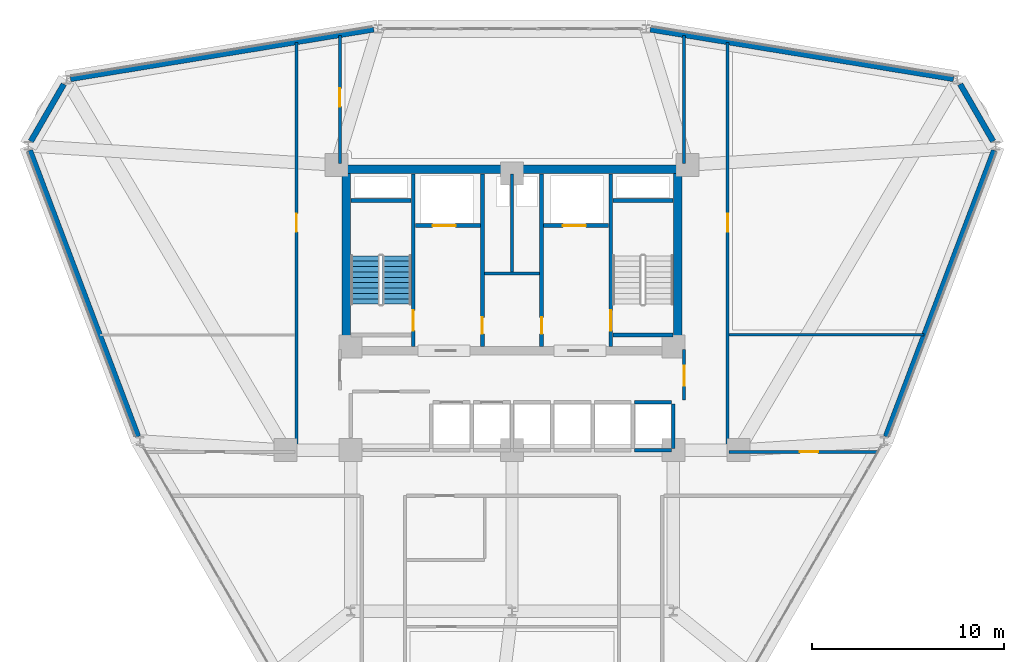
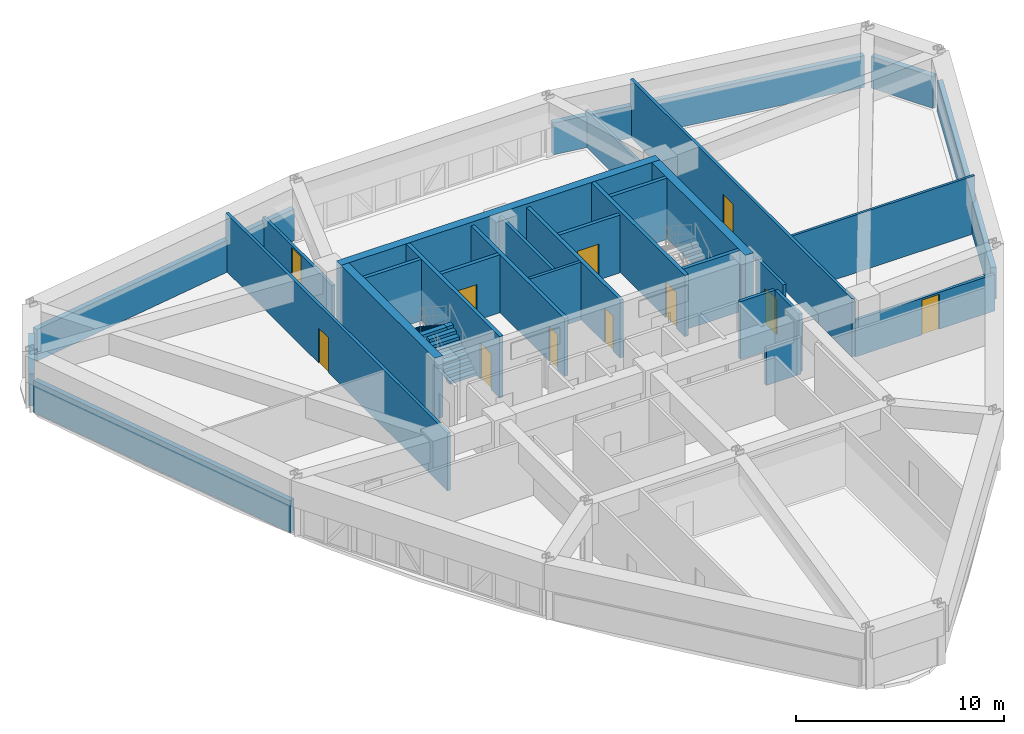
# One storey, part 11 of 15: 30 walls, 11 doors, 2 stair flights, 11 openings, 1 element without a shape of its own.
"""IFC4 building model written with IfcOpenShell, lengths in metres."""

from ifc_helpers import new_model, si_unit, derived_unit, direction, frame, frame_2d, origin, place, context, subcontext, project, spatial, polyline, rectangle, outline, extrude, material, layer, layer_set, type_object, element, fill, aggregate, save


model = new_model("IFC4")

# Units and contexts
model_context = context("Model", 3, precision=1e-05, world=origin(), true_north=direction((0.0, 1.0)))
body_context = subcontext(model_context, "Body", "Model", "MODEL_VIEW")
ifc_project = project(units=[si_unit("LENGTHUNIT", "METRE"), si_unit("AREAUNIT", "SQUARE_METRE"), si_unit("VOLUMEUNIT", "CUBIC_METRE"), si_unit("PLANEANGLEUNIT", "RADIAN"), si_unit("MASSUNIT", "GRAM", prefix="KILO"), derived_unit("THERMALTRANSMITTANCEUNIT", [(si_unit("POWERUNIT", "WATT"), 1), (si_unit("LENGTHUNIT", "METRE"), -2), (si_unit("THERMODYNAMICTEMPERATUREUNIT", "KELVIN"), -1)])], contexts=[model_context])

# Site, building, storey
site_placement = place(None, origin())
site = spatial("IfcSite", under=ifc_project, at=site_placement, CompositionType="ELEMENT")
building_placement = place(site_placement, origin())
building = spatial("IfcBuilding", under=site, at=building_placement, Name="Korsvarv Bourse and Concert Hall", CompositionType="ELEMENT")
storey_placement = place(building_placement, frame((0.0, 0.0, 109.800048828125)))
storey = spatial("IfcBuildingStorey", under=building, at=storey_placement, Name="L27", CompositionType="ELEMENT", Elevation=109.800048828125)

# Wall, opening, door
ifc_material_1 = material(Name="Concrete C50/60", Category="concrete")
ifc_layer_1 = layer(ifc_material_1, 0.3798828125)
ifc_layer_set_1 = layer_set([ifc_layer_1], Name="Concrete C50/60")
wall_type_1 = type_object("IfcWallType", Name="WL-CORE-380", PredefinedType="SHEAR", material=ifc_layer_set_1)
wall_1_placement = place(storey_placement, frame((30.860107421875, 37.81005859375, 0.0), z_axis=(0.0, 0.0, 1.0), x_axis=(0.0, 1.0, 0.0)))
wall_1 = element("IfcWall", 1, at=wall_1_placement, inside=storey, type_object=wall_type_1, Name="L27 stair shaft structural wall W-L27-ST1-E", PredefinedType="SHEAR", context=body_context, shape_type="SweptSolid", body=[
    extrude(rectangle(XDim=8.97998046875, YDim=0.199951171875, at=frame_2d((4.489990234375, 0.0))), origin(), (0.0, 0.0, 1.0), 3.599853515625),
])
opening_1_placement = place(wall_1_placement, frame((0.820068359375, 0.0, 0.0)))
opening_1 = element("IfcOpeningElement", 2, at=opening_1_placement, cuts=wall_1, Name="Opening D-01", PredefinedType="OPENING", context=body_context, shape_type="SweptSolid", body=[
    extrude(rectangle(XDim=1.050048828125, YDim=2.10009765625, at=frame_2d((0.52490234375, 1.050048828125))), frame((0.0, 0.10986328125, 0.0), z_axis=(0.0, -1.0, 0.0), x_axis=(1.0, 0.0, 0.0)), (0.0, 0.0, 1.0), 0.219970703125),
])
ifc_material_2 = material(Name="Steel S355 fire door", Category="steel")
door_type_1 = type_object("IfcDoorType", Name="DR-FD60", OperationType="NOTDEFINED", PredefinedType="DOOR", material=ifc_material_2)
door_1_placement = place(opening_1_placement, origin())
door_1 = element("IfcDoor", 3, at=door_1_placement, inside=storey, type_object=door_type_1, Name="L27 interior door DR-L27-ST1", OperationType="SINGLE_SWING_LEFT", OverallHeight=2.10009765625, OverallWidth=1.050048828125, PredefinedType="DOOR", context=body_context, shape_type="SweptSolid", body=[
    extrude(rectangle(XDim=1.050048828125, YDim=2.10009765625, at=frame_2d((0.52490234375, 1.050048828125))), frame((0.0, 0.02490234375, 0.0), z_axis=(0.0, -1.0, 0.0), x_axis=(1.0, 0.0, 0.0)), (0.0, 0.0, 1.0), 0.050048828125),
])
fill(opening_1, door_1)

# Wall
wall_2_placement = place(storey_placement, frame((27.610107421875, 45.39990234375, 0.0), z_axis=(0.0, 0.0, 1.0), x_axis=(1.0, 0.0, 0.0)))
element("IfcWall", 4, at=wall_2_placement, inside=storey, type_object=wall_type_1, Name="L27 stair shaft structural wall W-L27-ST1-N", PredefinedType="SHEAR", context=body_context, shape_type="SweptSolid", body=[
    extrude(rectangle(XDim=3.139892578125, YDim=0.199951171875, at=frame_2d((1.56982421875, 0.0))), origin(), (0.0, 0.0, 1.0), 3.599853515625),
])

# Wall, opening, door
wall_3_placement = place(storey_placement, frame((41.139892578125, 37.81005859375, 0.0), z_axis=(0.0, 0.0, 1.0), x_axis=(0.0, 1.0, 0.0)))
wall_3 = element("IfcWall", 5, at=wall_3_placement, inside=storey, type_object=wall_type_1, Name="L27 stair shaft structural wall W-L27-ST2-W", PredefinedType="SHEAR", context=body_context, shape_type="SweptSolid", body=[
    extrude(rectangle(XDim=8.97998046875, YDim=0.199951171875, at=frame_2d((4.489990234375, 0.0))), origin(), (0.0, 0.0, 1.0), 3.599853515625),
])
opening_2_placement = place(wall_3_placement, frame((0.820068359375, 0.0, 0.0)))
opening_2 = element("IfcOpeningElement", 6, at=opening_2_placement, cuts=wall_3, Name="Opening D-01", PredefinedType="OPENING", context=body_context, shape_type="SweptSolid", body=[
    extrude(rectangle(XDim=1.050048828125, YDim=2.10009765625, at=frame_2d((0.52490234375, 1.050048828125))), frame((0.0, 0.10986328125, 0.0), z_axis=(0.0, -1.0, 0.0), x_axis=(1.0, 0.0, 0.0)), (0.0, 0.0, 1.0), 0.219970703125),
])
door_2_placement = place(opening_2_placement, frame((1.050048828125, 0.0, 0.0), z_axis=(0.0, 0.0, 1.0), x_axis=(-1.0, 0.0, 0.0)))
door_2 = element("IfcDoor", 7, at=door_2_placement, inside=storey, type_object=door_type_1, Name="L27 interior door DR-L27-ST2", OperationType="SINGLE_SWING_RIGHT", OverallHeight=2.10009765625, OverallWidth=1.050048828125, PredefinedType="DOOR", context=body_context, shape_type="SweptSolid", body=[
    extrude(rectangle(XDim=1.050048828125, YDim=2.10009765625, at=frame_2d((0.52490234375, 1.050048828125))), frame((0.0, 0.02490234375, 0.0), z_axis=(0.0, -1.0, 0.0), x_axis=(1.0, 0.0, 0.0)), (0.0, 0.0, 1.0), 0.050048828125),
])
fill(opening_2, door_2)

# Walls
for number, where, z_axis, x_axis, name in (
    (8, (41.25, 45.39990234375, 0.0), (0.0, 0.0, 1.0), (1.0, 0.0, 0.0), "L27 stair shaft structural wall W-L27-ST2-N"),
    (9, (41.25, 38.39990234375, 0.0), (0.0, 0.0, 1.0), (1.0, 0.0, 0.0), "L27 stair shaft structural wall W-L27-ST2-S"),
):
    element("IfcWall", number, at=place(storey_placement, frame(where, z_axis=z_axis, x_axis=x_axis)), inside=storey, type_object=wall_type_1, Name=name, PredefinedType="SHEAR", context=body_context, shape_type="SweptSolid", body=[
        extrude(rectangle(XDim=3.139892578125, YDim=0.199951171875, at=frame_2d((1.56982421875, 0.0))), origin(), (0.0, 0.0, 1.0), 3.599853515625),
    ])
ifc_material_3 = material(Name="Concrete C55/67", Category="concrete")
ifc_layer_2 = layer(ifc_material_3, 0.449951171875)
ifc_layer_set_2 = layer_set([ifc_layer_2], Name="Concrete C55/67")
wall_type_2 = type_object("IfcWallType", Name="WL-CORE-450", PredefinedType="SHEAR", material=ifc_layer_set_2)
wall_4_placement = place(storey_placement, frame((27.14990234375, 47.02490234375, 0.0), z_axis=(0.0, 0.0, 1.0), x_axis=(1.0, 0.0, 0.0)))
element("IfcWall", 10, at=wall_4_placement, inside=storey, type_object=wall_type_2, Name="L27 North Core Shear Wall", PredefinedType="SHEAR", context=body_context, shape_type="SweptSolid", body=[
    extrude(rectangle(XDim=17.7001953125, YDim=0.449951171875, at=frame_2d((8.85009765625, 0.0))), origin(), (0.0, 0.0, 1.0), 3.599853515625),
])
for number, where, z_axis, x_axis, name in (
    (11, (27.375, 37.800048828125, 0.0), (0.0, 0.0, 1.0), (0.0, 1.0, 0.0), "L27 West Core Shear Wall"),
    (12, (44.625, 37.800048828125, 0.0), (0.0, 0.0, 1.0), (0.0, 1.0, 0.0), "L27 East Core Shear Wall"),
):
    element("IfcWall", number, at=place(storey_placement, frame(where, z_axis=z_axis, x_axis=x_axis)), inside=storey, type_object=wall_type_2, Name=name, PredefinedType="SHEAR", context=body_context, shape_type="SweptSolid", body=[
        extrude(rectangle(XDim=9.0, YDim=0.449951171875, at=frame_2d((4.5, 0.0))), origin(), (0.0, 0.0, 1.0), 3.599853515625),
    ])
ifc_material_4 = material(Name="Precast concrete C45/55 with terracotta rainscreen", Category="concrete")
ifc_layer_3 = layer(ifc_material_4, 0.300048828125)
ifc_layer_set_3 = layer_set([ifc_layer_3], Name="Precast concrete C45/55 with terracotta rainscreen")
wall_type_3 = type_object("IfcWallType", Name="WL-EXT-TC1", PredefinedType="SOLIDWALL", material=ifc_layer_set_3)
for number, where, z_axis, x_axis, name in (
    (13, (61.060791015625, 48.48388671875, 0.0), (0.0, 0.0, 1.0), (-0.500064626416, 0.86598808849, 0.0), "L27 terracotta exterior wall EW-L27-B01"),
    (14, (12.658447265625, 51.461181640625, 0.0), (0.0, 0.0, 1.0), (-0.500064626416, -0.86598808849, 0.0), "L27 terracotta exterior wall EW-L27-B05"),
):
    element("IfcWall", number, at=place(storey_placement, frame(where, z_axis=z_axis, x_axis=x_axis)), inside=storey, type_object=wall_type_3, Name=name, PredefinedType="SOLIDWALL", context=body_context, shape_type="SweptSolid", body=[
        extrude(rectangle(XDim=3.43798828125, YDim=0.300048828125, at=frame_2d((1.718994140625, 0.0))), origin(), (0.0, 0.0, 1.0), 1.869873046875),
    ])
ifc_material_5 = material(Name="Precast concrete C45/55 with fluted terracotta pier", Category="concrete")
ifc_layer_4 = layer(ifc_material_5, 0.280029296875)
ifc_layer_set_4 = layer_set([ifc_layer_4], Name="Precast concrete C45/55 with fluted terracotta pier")
wall_type_4 = type_object("IfcWallType", Name="WL-EXT-TC2", PredefinedType="SOLIDWALL", material=ifc_layer_set_4)
for number, where, z_axis, x_axis, name in (
    (15, (58.993408203125, 51.728759765625, 0.0), (0.0, 0.0, 1.0), (-0.98690696995, 0.161290522546, 0.0), "L27 terracotta exterior wall EW-L27-B02"),
    (16, (28.798095703125, 54.3095703125, 0.0), (0.0, 0.0, 1.0), (-0.98690696995, -0.161290522546, 0.0), "L27 terracotta exterior wall EW-L27-B04"),
):
    element("IfcWall", number, at=place(storey_placement, frame(where, z_axis=z_axis, x_axis=x_axis)), inside=storey, type_object=wall_type_4, Name=name, PredefinedType="SOLIDWALL", context=body_context, shape_type="SweptSolid", body=[
        extrude(rectangle(XDim=16.0009765625, YDim=0.280029296875, at=frame_2d((8.00048828125, 0.0))), origin(), (0.0, 0.0, 1.0), 1.869873046875),
    ])
for number, where, z_axis, x_axis, name in (
    (17, (10.89306640625, 48.018798828125, 0.0), (0.0, 0.0, 1.0), (0.353771130195, -0.935332019895, 0.0), "L27 terracotta exterior wall EW-L27-B06"),
    (18, (55.46875, 33.112060546875, 0.0), (0.0, 0.0, 1.0), (0.353771130195, 0.935332019895, 0.0), "L27 terracotta exterior wall EW-L27-B12"),
):
    element("IfcWall", number, at=place(storey_placement, frame(where, z_axis=z_axis, x_axis=x_axis)), inside=storey, type_object=wall_type_4, Name=name, PredefinedType="SOLIDWALL", context=body_context, shape_type="SweptSolid", body=[
        extrude(rectangle(XDim=15.937255859375, YDim=0.280029296875, at=frame_2d((7.96875, 0.0))), origin(), (0.0, 0.0, 1.0), 1.869873046875),
    ])

# Wall, opening, door
ifc_material_6 = material(Name="Reinforced concrete blockwork C35/45 fire wall", Category="concrete")
ifc_layer_5 = layer(ifc_material_6, 0.199951171875)
ifc_layer_set_5 = layer_set([ifc_layer_5], Name="Reinforced concrete blockwork C35/45 fire wall")
wall_type_5 = type_object("IfcWallType", Name="WL-INT-EI120", PredefinedType="PARTITIONING", material=ifc_layer_set_5)
wall_5_placement = place(storey_placement, frame((30.969970703125, 44.10009765625, 0.0), z_axis=(0.0, 0.0, 1.0), x_axis=(1.0, 0.0, 0.0)))
wall_5 = element("IfcWall", 19, at=wall_5_placement, inside=storey, type_object=wall_type_5, Name="L27 interior partition wall W-L27-FF1-S", PredefinedType="PARTITIONING", context=body_context, shape_type="SweptSolid", body=[
    extrude(rectangle(XDim=3.380126953125, YDim=0.199951171875, at=frame_2d((1.68994140625, 0.0))), origin(), (0.0, 0.0, 1.0), 3.39990234375),
])
opening_3_placement = place(wall_5_placement, frame((0.89990234375, 0.0, 0.0)))
opening_3 = element("IfcOpeningElement", 20, at=opening_3_placement, cuts=wall_5, Name="Opening LD-1", PredefinedType="OPENING", context=body_context, shape_type="SweptSolid", body=[
    extrude(rectangle(XDim=1.199951171875, YDim=2.10009765625, at=frame_2d((0.60009765625, 1.050048828125))), frame((0.0, 0.10986328125, 0.0), z_axis=(0.0, -1.0, 0.0), x_axis=(1.0, 0.0, 0.0)), (0.0, 0.0, 1.0), 0.219970703125),
])
ifc_material_7 = material(Name="Stainless Steel S355 firefighting lift landing door", Category="steel")
door_type_2 = type_object("IfcDoorType", Name="DR-LIFT-FF", OperationType="DOUBLE_DOOR_SLIDING", PredefinedType="DOOR", material=ifc_material_7)
door_3_placement = place(opening_3_placement, origin())
door_3 = element("IfcDoor", 21, at=door_3_placement, inside=storey, type_object=door_type_2, Name="L27 lift sliding landing door LD-L27-FF1", OperationType="DOUBLE_DOOR_SLIDING", OverallHeight=2.10009765625, OverallWidth=1.199951171875, PredefinedType="DOOR", context=body_context, shape_type="SweptSolid", body=[
    extrude(rectangle(XDim=1.199951171875, YDim=2.10009765625, at=frame_2d((0.60009765625, 1.050048828125))), frame((0.0, 0.02490234375, 0.0), z_axis=(0.0, -1.0, 0.0), x_axis=(1.0, 0.0, 0.0)), (0.0, 0.0, 1.0), 0.050048828125),
])
fill(opening_3, door_3)

wall_6_placement = place(storey_placement, frame((37.64990234375, 44.10009765625, 0.0), z_axis=(0.0, 0.0, 1.0), x_axis=(1.0, 0.0, 0.0)))
wall_6 = element("IfcWall", 22, at=wall_6_placement, inside=storey, type_object=wall_type_5, Name="L27 interior partition wall W-L27-FF2-S", PredefinedType="PARTITIONING", context=body_context, shape_type="SweptSolid", body=[
    extrude(rectangle(XDim=3.380126953125, YDim=0.199951171875, at=frame_2d((1.68994140625, 0.0))), origin(), (0.0, 0.0, 1.0), 3.39990234375),
])
opening_4_placement = place(wall_6_placement, frame((1.0, 0.0, 0.0)))
opening_4 = element("IfcOpeningElement", 23, at=opening_4_placement, cuts=wall_6, Name="Opening LD-1", PredefinedType="OPENING", context=body_context, shape_type="SweptSolid", body=[
    extrude(rectangle(XDim=1.199951171875, YDim=2.10009765625, at=frame_2d((0.60009765625, 1.050048828125))), frame((0.0, 0.10986328125, 0.0), z_axis=(0.0, -1.0, 0.0), x_axis=(1.0, 0.0, 0.0)), (0.0, 0.0, 1.0), 0.219970703125),
])
door_4_placement = place(opening_4_placement, origin())
door_4 = element("IfcDoor", 24, at=door_4_placement, inside=storey, type_object=door_type_2, Name="L27 lift sliding landing door LD-L27-FF2", OperationType="DOUBLE_DOOR_SLIDING", OverallHeight=2.10009765625, OverallWidth=1.199951171875, PredefinedType="DOOR", context=body_context, shape_type="SweptSolid", body=[
    extrude(rectangle(XDim=1.199951171875, YDim=2.10009765625, at=frame_2d((0.60009765625, 1.050048828125))), frame((0.0, 0.02490234375, 0.0), z_axis=(0.0, -1.0, 0.0), x_axis=(1.0, 0.0, 0.0)), (0.0, 0.0, 1.0), 0.050048828125),
])
fill(opening_4, door_4)

wall_7_placement = place(storey_placement, frame((34.4599609375, 37.81005859375, 0.0), z_axis=(0.0, 0.0, 1.0), x_axis=(0.0, 1.0, 0.0)))
wall_7 = element("IfcWall", 25, at=wall_7_placement, inside=storey, type_object=wall_type_5, Name="L27 interior partition wall W-L27-CSB-W", PredefinedType="PARTITIONING", context=body_context, shape_type="SweptSolid", body=[
    extrude(rectangle(XDim=8.97998046875, YDim=0.199951171875, at=frame_2d((4.489990234375, 0.0))), origin(), (0.0, 0.0, 1.0), 3.39990234375),
])
opening_5_placement = place(wall_7_placement, frame((0.64990234375, 0.0, 0.0)))
opening_5 = element("IfcOpeningElement", 26, at=opening_5_placement, cuts=wall_7, Name="Opening D-05", PredefinedType="OPENING", context=body_context, shape_type="SweptSolid", body=[
    extrude(rectangle(XDim=0.85009765625, YDim=2.050048828125, at=frame_2d((0.425048828125, 1.02490234375))), frame((0.0, 0.10986328125, 0.0), z_axis=(0.0, -1.0, 0.0), x_axis=(1.0, 0.0, 0.0)), (0.0, 0.0, 1.0), 0.219970703125),
])
door_type_3 = type_object("IfcDoorType", Name="DR-FD60-850X2050", OperationType="NOTDEFINED", PredefinedType="DOOR", material=ifc_material_2)
door_5_placement = place(opening_5_placement, frame((0.85009765625, 0.0, 0.0), z_axis=(0.0, 0.0, 1.0), x_axis=(-1.0, 0.0, 0.0)))
door_5 = element("IfcDoor", 27, at=door_5_placement, inside=storey, type_object=door_type_3, Name="L27 interior door DR-L27-CSB1", OperationType="SINGLE_SWING_LEFT", OverallHeight=2.050048828125, OverallWidth=0.85009765625, PredefinedType="DOOR", context=body_context, shape_type="SweptSolid", body=[
    extrude(rectangle(XDim=0.85009765625, YDim=2.050048828125, at=frame_2d((0.425048828125, 1.02490234375))), frame((0.0, 0.02490234375, 0.0), z_axis=(0.0, -1.0, 0.0), x_axis=(1.0, 0.0, 0.0)), (0.0, 0.0, 1.0), 0.050048828125),
])
fill(opening_5, door_5)

wall_8_placement = place(storey_placement, frame((37.5400390625, 37.81005859375, 0.0), z_axis=(0.0, 0.0, 1.0), x_axis=(0.0, 1.0, 0.0)))
wall_8 = element("IfcWall", 28, at=wall_8_placement, inside=storey, type_object=wall_type_5, Name="L27 interior partition wall W-L27-CSB-E", PredefinedType="PARTITIONING", context=body_context, shape_type="SweptSolid", body=[
    extrude(rectangle(XDim=8.97998046875, YDim=0.199951171875, at=frame_2d((4.489990234375, 0.0))), origin(), (0.0, 0.0, 1.0), 3.39990234375),
])
opening_6_placement = place(wall_8_placement, frame((0.64990234375, 0.0, 0.0)))
opening_6 = element("IfcOpeningElement", 29, at=opening_6_placement, cuts=wall_8, Name="Opening D-05", PredefinedType="OPENING", context=body_context, shape_type="SweptSolid", body=[
    extrude(rectangle(XDim=0.85009765625, YDim=2.050048828125, at=frame_2d((0.425048828125, 1.02490234375))), frame((0.0, 0.10986328125, 0.0), z_axis=(0.0, -1.0, 0.0), x_axis=(1.0, 0.0, 0.0)), (0.0, 0.0, 1.0), 0.219970703125),
])
door_6_placement = place(opening_6_placement, origin())
door_6 = element("IfcDoor", 30, at=door_6_placement, inside=storey, type_object=door_type_3, Name="L27 interior door DR-L27-CSB2", OperationType="SINGLE_SWING_RIGHT", OverallHeight=2.050048828125, OverallWidth=0.85009765625, PredefinedType="DOOR", context=body_context, shape_type="SweptSolid", body=[
    extrude(rectangle(XDim=0.85009765625, YDim=2.050048828125, at=frame_2d((0.425048828125, 1.02490234375))), frame((0.0, 0.02490234375, 0.0), z_axis=(0.0, -1.0, 0.0), x_axis=(1.0, 0.0, 0.0)), (0.0, 0.0, 1.0), 0.050048828125),
])
fill(opening_6, door_6)

# Walls
ifc_material_8 = material(Name="Double-stud fire-rated acoustic partition", Category="gypsum")
ifc_layer_6 = layer(ifc_material_8, 0.159912109375)
ifc_layer_set_6 = layer_set([ifc_layer_6], Name="Double-stud fire-rated acoustic partition")
wall_type_6 = type_object("IfcWallType", Name="WL-INT-EI60", PredefinedType="PARTITIONING", material=ifc_layer_set_6)
wall_9_placement = place(storey_placement, frame((34.570068359375, 41.60009765625, 0.0), z_axis=(0.0, 0.0, 1.0), x_axis=(1.0, 0.0, 0.0)))
element("IfcWall", 31, at=wall_9_placement, inside=storey, type_object=wall_type_6, Name="L27 interior partition wall W-L27-K1", PredefinedType="PARTITIONING", context=body_context, shape_type="SweptSolid", body=[
    extrude(rectangle(XDim=2.85986328125, YDim=0.159912109375, at=frame_2d((1.429931640625, 0.0))), origin(), (0.0, 0.0, 1.0), 3.39990234375),
])
wall_10_placement = place(storey_placement, frame((36.0048828125, 41.68994140625, 0.0), z_axis=(0.0, 0.0, 1.0), x_axis=(0.0, 1.0, 0.0)))
element("IfcWall", 32, at=wall_10_placement, inside=storey, type_object=wall_type_6, Name="L27 interior partition wall W-L27-K2", PredefinedType="PARTITIONING", context=body_context, shape_type="SweptSolid", body=[
    extrude(rectangle(XDim=5.10009765625, YDim=0.159912109375, at=frame_2d((2.550048828125, 0.0))), origin(), (0.0, 0.0, 1.0), 3.39990234375),
])

# Wall, opening, door
wall_11_placement = place(storey_placement, frame((44.9599609375, 35.0, 0.0), z_axis=(0.0, 0.0, 1.0), x_axis=(0.0, 1.0, 0.0)))
wall_11 = element("IfcWall", 33, at=wall_11_placement, inside=storey, type_object=wall_type_6, Name="L27 interior partition wall W-L27-LOB-E", PredefinedType="PARTITIONING", context=body_context, shape_type="SweptSolid", body=[
    extrude(rectangle(XDim=2.64990234375, YDim=0.159912109375, at=frame_2d((1.324951171875, 0.0))), origin(), (0.0, 0.0, 1.0), 3.39990234375),
])
opening_7_placement = place(wall_11_placement, frame((0.75, 0.0, 0.0)))
opening_7 = element("IfcOpeningElement", 34, at=opening_7_placement, cuts=wall_11, Name="Opening D-01", PredefinedType="OPENING", context=body_context, shape_type="SweptSolid", body=[
    extrude(rectangle(XDim=1.050048828125, YDim=2.10009765625, at=frame_2d((0.52490234375, 1.050048828125))), frame((0.0, 0.08984375, 0.0), z_axis=(0.0, -1.0, 0.0), x_axis=(1.0, 0.0, 0.0)), (0.0, 0.0, 1.0), 0.179931640625),
])
door_7_placement = place(opening_7_placement, origin())
door_7 = element("IfcDoor", 35, at=door_7_placement, inside=storey, type_object=door_type_1, Name="L27 interior door DR-L27-LOBE", OperationType="SINGLE_SWING_LEFT", OverallHeight=2.10009765625, OverallWidth=1.050048828125, PredefinedType="DOOR", context=body_context, shape_type="SweptSolid", body=[
    extrude(rectangle(XDim=1.050048828125, YDim=2.10009765625, at=frame_2d((0.52490234375, 1.050048828125))), frame((0.0, 0.02490234375, 0.0), z_axis=(0.0, -1.0, 0.0), x_axis=(1.0, 0.0, 0.0)), (0.0, 0.0, 1.0), 0.050048828125),
])
fill(opening_7, door_7)

wall_12_placement = place(storey_placement, frame((47.22509765625, 32.31005859375, 0.0), z_axis=(0.0, 0.0, 1.0), x_axis=(0.0, 1.0, 0.0)))
wall_12 = element("IfcWall", 36, at=wall_12_placement, inside=storey, type_object=wall_type_6, Name="L27 interior partition wall W-L27-TCOR-01", PredefinedType="PARTITIONING", context=body_context, shape_type="SweptSolid", body=[
    extrude(rectangle(XDim=21.322021484375, YDim=0.159912109375, at=frame_2d((10.6611328125, 0.0))), origin(), (0.0, 0.0, 1.0), 3.39990234375),
])
opening_8_placement = place(wall_12_placement, frame((11.45703125, 0.0, 0.0)))
opening_8 = element("IfcOpeningElement", 37, at=opening_8_placement, cuts=wall_12, Name="Opening D-02", PredefinedType="OPENING", context=body_context, shape_type="SweptSolid", body=[
    extrude(rectangle(XDim=0.949951171875, YDim=2.050048828125, at=frame_2d((0.47509765625, 1.02490234375))), frame((0.0, 0.08984375, 0.0), z_axis=(0.0, -1.0, 0.0), x_axis=(1.0, 0.0, 0.0)), (0.0, 0.0, 1.0), 0.179931640625),
])
ifc_material_9 = material(Name="Timber and steel acoustic fire door", Category="wood")
door_type_4 = type_object("IfcDoorType", Name="DR-FD30", OperationType="NOTDEFINED", PredefinedType="DOOR", material=ifc_material_9)
door_8_placement = place(opening_8_placement, origin())
door_8 = element("IfcDoor", 38, at=door_8_placement, inside=storey, type_object=door_type_4, Name="L27 interior door DR-L27-TCOR-REL2", OperationType="SINGLE_SWING_RIGHT", OverallHeight=2.050048828125, OverallWidth=0.949951171875, PredefinedType="DOOR", context=body_context, shape_type="SweptSolid", body=[
    extrude(rectangle(XDim=0.949951171875, YDim=2.050048828125, at=frame_2d((0.47509765625, 1.02490234375))), frame((0.0, 0.02490234375, 0.0), z_axis=(0.0, -1.0, 0.0), x_axis=(1.0, 0.0, 0.0)), (0.0, 0.0, 1.0), 0.050048828125),
])
fill(opening_8, door_8)

wall_13_placement = place(storey_placement, frame((24.77490234375, 32.31005859375, 0.0), z_axis=(0.0, 0.0, 1.0), x_axis=(0.0, 1.0, 0.0)))
wall_13 = element("IfcWall", 39, at=wall_13_placement, inside=storey, type_object=wall_type_6, Name="L27 interior partition wall W-L27-TCOR-02", PredefinedType="PARTITIONING", context=body_context, shape_type="SweptSolid", body=[
    extrude(rectangle(XDim=21.322021484375, YDim=0.159912109375, at=frame_2d((10.6611328125, 0.0))), origin(), (0.0, 0.0, 1.0), 3.39990234375),
])
opening_9_placement = place(wall_13_placement, frame((11.45703125, 0.0, 0.0)))
opening_9 = element("IfcOpeningElement", 40, at=opening_9_placement, cuts=wall_13, Name="Opening D-02", PredefinedType="OPENING", context=body_context, shape_type="SweptSolid", body=[
    extrude(rectangle(XDim=0.949951171875, YDim=2.050048828125, at=frame_2d((0.47509765625, 1.02490234375))), frame((0.0, 0.08984375, 0.0), z_axis=(0.0, -1.0, 0.0), x_axis=(1.0, 0.0, 0.0)), (0.0, 0.0, 1.0), 0.179931640625),
])
door_9_placement = place(opening_9_placement, origin())
door_9 = element("IfcDoor", 41, at=door_9_placement, inside=storey, type_object=door_type_4, Name="L27 interior door DR-L27-TCOR-CHG9", OperationType="SINGLE_SWING_LEFT", OverallHeight=2.050048828125, OverallWidth=0.949951171875, PredefinedType="DOOR", context=body_context, shape_type="SweptSolid", body=[
    extrude(rectangle(XDim=0.949951171875, YDim=2.050048828125, at=frame_2d((0.47509765625, 1.02490234375))), frame((0.0, 0.02490234375, 0.0), z_axis=(0.0, -1.0, 0.0), x_axis=(1.0, 0.0, 0.0)), (0.0, 0.0, 1.0), 0.050048828125),
])
fill(opening_9, door_9)

wall_14_placement = place(storey_placement, frame((47.306884765625, 32.31494140625, 0.0), z_axis=(0.0, 0.0, 1.0), x_axis=(1.0, 0.0, 0.0)))
wall_14 = element("IfcWall", 42, at=wall_14_placement, inside=storey, type_object=wall_type_6, Name="L27 interior partition wall W-L27-TCOR-11", PredefinedType="PARTITIONING", context=body_context, shape_type="SweptSolid", body=[
    extrude(rectangle(XDim=7.72802734375, YDim=0.159912109375, at=frame_2d((3.864013671875, 0.0))), origin(), (0.0, 0.0, 1.0), 2.159912109375),
])
opening_10_placement = place(wall_14_placement, frame((3.69091796875, 0.0, 0.0)))
opening_10 = element("IfcOpeningElement", 43, at=opening_10_placement, cuts=wall_14, Name="Opening D-02", PredefinedType="OPENING", context=body_context, shape_type="SweptSolid", body=[
    extrude(rectangle(XDim=0.949951171875, YDim=2.050048828125, at=frame_2d((0.47509765625, 1.02490234375))), frame((0.0, 0.08984375, 0.0), z_axis=(0.0, -1.0, 0.0), x_axis=(1.0, 0.0, 0.0)), (0.0, 0.0, 1.0), 0.179931640625),
])
door_10_placement = place(opening_10_placement, origin())
door_10 = element("IfcDoor", 44, at=door_10_placement, inside=storey, type_object=door_type_4, Name="L27 interior door DR-L27-TCOR-JUI1", OperationType="SINGLE_SWING_LEFT", OverallHeight=2.050048828125, OverallWidth=0.949951171875, PredefinedType="DOOR", context=body_context, shape_type="SweptSolid", body=[
    extrude(rectangle(XDim=0.949951171875, YDim=2.050048828125, at=frame_2d((0.47509765625, 1.02490234375))), frame((0.0, 0.02490234375, 0.0), z_axis=(0.0, -1.0, 0.0), x_axis=(1.0, 0.0, 0.0)), (0.0, 0.0, 1.0), 0.050048828125),
])
fill(opening_10, door_10)

wall_15_placement = place(storey_placement, frame((27.034912109375, 47.340087890625, 0.0), z_axis=(0.0, 0.0, 1.0), x_axis=(0.0, 1.0, 0.0)))
wall_15 = element("IfcWall", 45, at=wall_15_placement, inside=storey, type_object=wall_type_6, Name="L27 interior partition wall W-L27-TCOR-12", PredefinedType="PARTITIONING", context=body_context, shape_type="SweptSolid", body=[
    extrude(rectangle(XDim=6.661376953125, YDim=0.159912109375, at=frame_2d((3.33056640625, 0.0))), origin(), (0.0, 0.0, 1.0), 2.159912109375),
])
opening_11_placement = place(wall_15_placement, frame((2.957275390625, 0.0, 0.0)))
opening_11 = element("IfcOpeningElement", 46, at=opening_11_placement, cuts=wall_15, Name="Opening D-02", PredefinedType="OPENING", context=body_context, shape_type="SweptSolid", body=[
    extrude(rectangle(XDim=0.949951171875, YDim=2.050048828125, at=frame_2d((0.47509765625, 1.02490234375))), frame((0.0, 0.08984375, 0.0), z_axis=(0.0, -1.0, 0.0), x_axis=(1.0, 0.0, 0.0)), (0.0, 0.0, 1.0), 0.179931640625),
])
door_11_placement = place(opening_11_placement, origin())
door_11 = element("IfcDoor", 47, at=door_11_placement, inside=storey, type_object=door_type_4, Name="L27 interior door DR-L27-TCOR-RM44", OperationType="SINGLE_SWING_RIGHT", OverallHeight=2.050048828125, OverallWidth=0.949951171875, PredefinedType="DOOR", context=body_context, shape_type="SweptSolid", body=[
    extrude(rectangle(XDim=0.949951171875, YDim=2.050048828125, at=frame_2d((0.47509765625, 1.02490234375))), frame((0.0, 0.02490234375, 0.0), z_axis=(0.0, -1.0, 0.0), x_axis=(1.0, 0.0, 0.0)), (0.0, 0.0, 1.0), 0.050048828125),
])
fill(opening_11, door_11)

# Walls
wall_16_placement = place(storey_placement, frame((44.965087890625, 47.340087890625, 0.0), z_axis=(0.0, 0.0, 1.0), x_axis=(0.0, 1.0, 0.0)))
element("IfcWall", 48, at=wall_16_placement, inside=storey, type_object=wall_type_6, Name="L27 interior partition wall W-L27-TCOR-13", PredefinedType="PARTITIONING", context=body_context, shape_type="SweptSolid", body=[
    extrude(rectangle(XDim=6.661376953125, YDim=0.159912109375, at=frame_2d((3.33056640625, 0.0))), origin(), (0.0, 0.0, 1.0), 2.159912109375),
])
ifc_material_10 = material(Name="Gypsum-clad autoclaved concrete shaft wall C30/37", Category="concrete")
ifc_layer_7 = layer(ifc_material_10, 0.179931640625)
ifc_layer_set_7 = layer_set([ifc_layer_7], Name="Gypsum-clad autoclaved concrete shaft wall C30/37")
wall_type_7 = type_object("IfcWallType", Name="WL-INT-EI90", PredefinedType="PARTITIONING", material=ifc_layer_set_7)
wall_17_placement = place(storey_placement, frame((42.389892578125, 34.89990234375, 0.0), z_axis=(0.0, 0.0, 1.0), x_axis=(1.0, 0.0, 0.0)))
element("IfcWall", 49, at=wall_17_placement, inside=storey, type_object=wall_type_7, Name="L27 interior partition wall W-L27-SHFN-PO2", PredefinedType="PARTITIONING", context=body_context, shape_type="SweptSolid", body=[
    extrude(rectangle(XDim=1.920166015625, YDim=0.179931640625, at=frame_2d((0.9599609375, 0.0))), origin(), (0.0, 0.0, 1.0), 3.39990234375),
])
wall_18_placement = place(storey_placement, frame((42.389892578125, 32.39990234375, 0.0), z_axis=(0.0, 0.0, 1.0), x_axis=(1.0, 0.0, 0.0)))
element("IfcWall", 50, at=wall_18_placement, inside=storey, type_object=wall_type_7, Name="L27 interior partition wall W-L27-SHFS-PO2", PredefinedType="PARTITIONING", context=body_context, shape_type="SweptSolid", body=[
    extrude(rectangle(XDim=1.920166015625, YDim=0.179931640625, at=frame_2d((0.9599609375, 0.0))), origin(), (0.0, 0.0, 1.0), 2.159912109375),
])
wall_19_placement = place(storey_placement, frame((44.39990234375, 32.489990234375, 0.0), z_axis=(0.0, 0.0, 1.0), x_axis=(0.0, 1.0, 0.0)))
element("IfcWall", 51, at=wall_19_placement, inside=storey, type_object=wall_type_7, Name="L27 interior partition wall W-L27-SHFE-END", PredefinedType="PARTITIONING", context=body_context, shape_type="SweptSolid", body=[
    extrude(rectangle(XDim=2.320068359375, YDim=0.179931640625, at=frame_2d((1.16015625, 0.0))), origin(), (0.0, 0.0, 1.0), 3.39990234375),
])
ifc_material_11 = material(Name="Insulated steel-stud office acoustic partition", Category="gypsum")
ifc_layer_8 = layer(ifc_material_11, 0.139892578125)
ifc_layer_set_8 = layer_set([ifc_layer_8], Name="Insulated steel-stud office acoustic partition")
wall_type_8 = type_object("IfcWallType", Name="WL-INT-P1", PredefinedType="PARTITIONING", material=ifc_layer_set_8)
wall_20_placement = place(storey_placement, frame((47.306884765625, 38.405029296875, 0.0), z_axis=(0.0, 0.0, 1.0), x_axis=(1.0, 0.0, 0.0)))
element("IfcWall", 52, at=wall_20_placement, inside=storey, type_object=wall_type_8, Name="L27 interior partition wall W-L27-TCOR-16", PredefinedType="PARTITIONING", context=body_context, shape_type="SweptSolid", body=[
    extrude(rectangle(XDim=10.143798828125, YDim=0.139892578125, at=frame_2d((5.07177734375, 0.0))), origin(), (0.0, 0.0, 1.0), 3.39990234375),
])

# Stair, stair flights
ifc_material_12 = material(Name="Precast concrete C45/55", Category="concrete")
stair_type = type_object("IfcStairType", Name="STR-TYPE-04", PredefinedType="HALF_TURN_STAIR", material=ifc_material_12)
stair_placement = place(storey_placement, origin())
stair = element("IfcStair", 53, at=stair_placement, inside=storey, type_object=stair_type, Name="L27 Tower West Exit Stair ST-T1", PredefinedType="HALF_TURN_STAIR")
stair_flight_type = type_object("IfcStairFlightType", Name="FLT-TYPE-04", PredefinedType="STRAIGHT", material=ifc_material_12)
stair_flight_1_placement = place(storey_placement, frame((30.010009765625, 40.0, 0.0), z_axis=(0.0, 0.0, 1.0), x_axis=(0.0, 1.0, 0.0)))
stair_flight_1 = element("IfcStairFlight", 54, at=stair_flight_1_placement, type_object=stair_flight_type, Name="ST-T1 flight 1", NumberOfRisers=10, NumberOfTreads=9, PredefinedType="STRAIGHT", RiserHeight=0.18, TreadLength=0.28, context=body_context, shape_type="SweptSolid", body=[
    extrude(outline(polyline([(0.0, 0.0), (0.0, 0.179931640625), (0.280029296875, 0.179931640625), (0.280029296875, 0.360107421875), (0.56005859375, 0.360107421875), (0.56005859375, 0.5400390625), (0.840087890625, 0.5400390625), (0.840087890625, 0.719970703125), (1.1201171875, 0.719970703125), (1.1201171875, 0.89990234375), (1.39990234375, 0.89990234375), (1.39990234375, 1.080078125), (1.679931640625, 1.080078125), (1.679931640625, 1.260009765625), (1.9599609375, 1.260009765625), (1.9599609375, 1.43994140625), (2.239990234375, 1.43994140625), (2.239990234375, 1.6201171875), (2.52001953125, 1.6201171875), (2.52001953125, 1.800048828125), (2.52001953125, 1.44189453125), (0.277099609375, 0.0), (0.0, 0.0)])), frame((0.0, 0.75, 0.0), z_axis=(0.0, -1.0, 0.0), x_axis=(1.0, 0.0, 0.0)), (0.0, 0.0, 1.0), 1.5),
])
stair_flight_2_placement = place(storey_placement, frame((28.35009765625, 42.52001953125, 1.800048828125), z_axis=(0.0, 0.0, 1.0), x_axis=(0.0, -1.0, 0.0)))
stair_flight_2 = element("IfcStairFlight", 55, at=stair_flight_2_placement, type_object=stair_flight_type, Name="ST-T1 flight 2", NumberOfRisers=10, NumberOfTreads=9, PredefinedType="STRAIGHT", RiserHeight=0.18, TreadLength=0.28, context=body_context, shape_type="SweptSolid", body=[
    extrude(outline(polyline([(0.0, 0.0), (0.0, 0.179931640625), (0.280029296875, 0.179931640625), (0.280029296875, 0.360107421875), (0.56005859375, 0.360107421875), (0.56005859375, 0.5400390625), (0.840087890625, 0.5400390625), (0.840087890625, 0.719970703125), (1.1201171875, 0.719970703125), (1.1201171875, 0.89990234375), (1.39990234375, 0.89990234375), (1.39990234375, 1.080078125), (1.679931640625, 1.080078125), (1.679931640625, 1.260009765625), (1.9599609375, 1.260009765625), (1.9599609375, 1.43994140625), (2.239990234375, 1.43994140625), (2.239990234375, 1.6201171875), (2.52001953125, 1.6201171875), (2.52001953125, 1.800048828125), (2.52001953125, 1.44189453125), (0.277099609375, 0.0), (0.0, 0.0)])), frame((0.0, 0.75, 0.0), z_axis=(0.0, -1.0, 0.0), x_axis=(1.0, 0.0, 0.0)), (0.0, 0.0, 1.0), 1.5),
])
aggregate(stair, [stair_flight_1, stair_flight_2])

save(model, "model.ifc")
